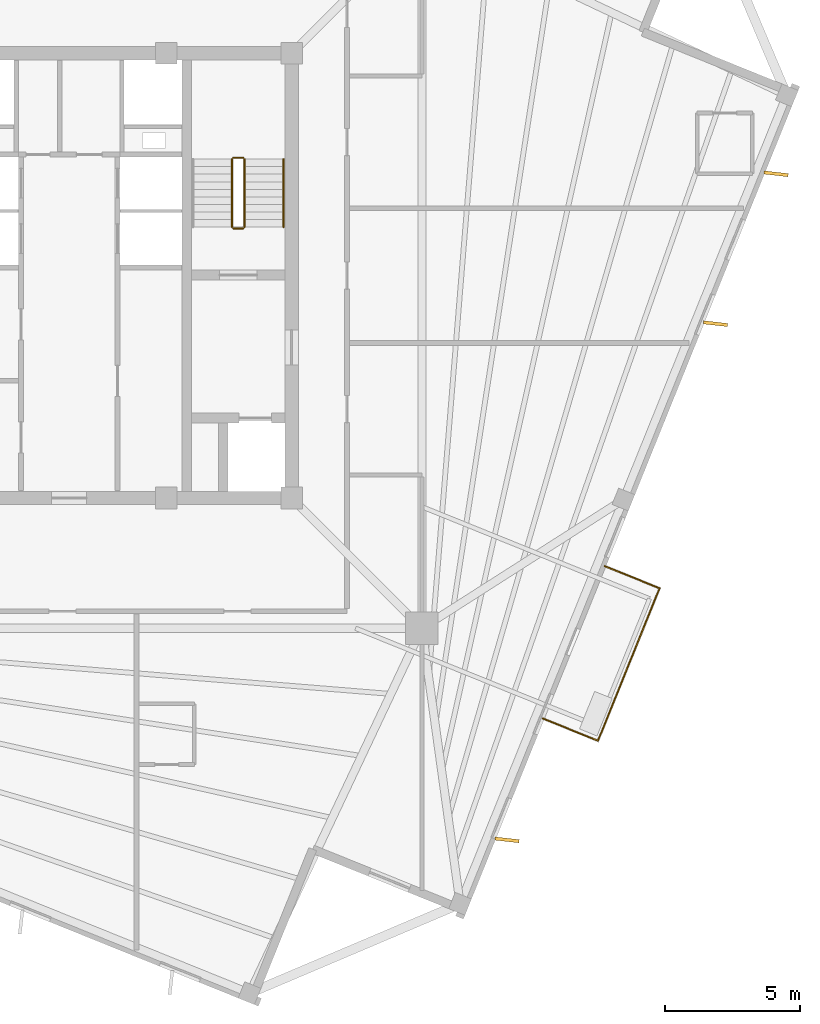
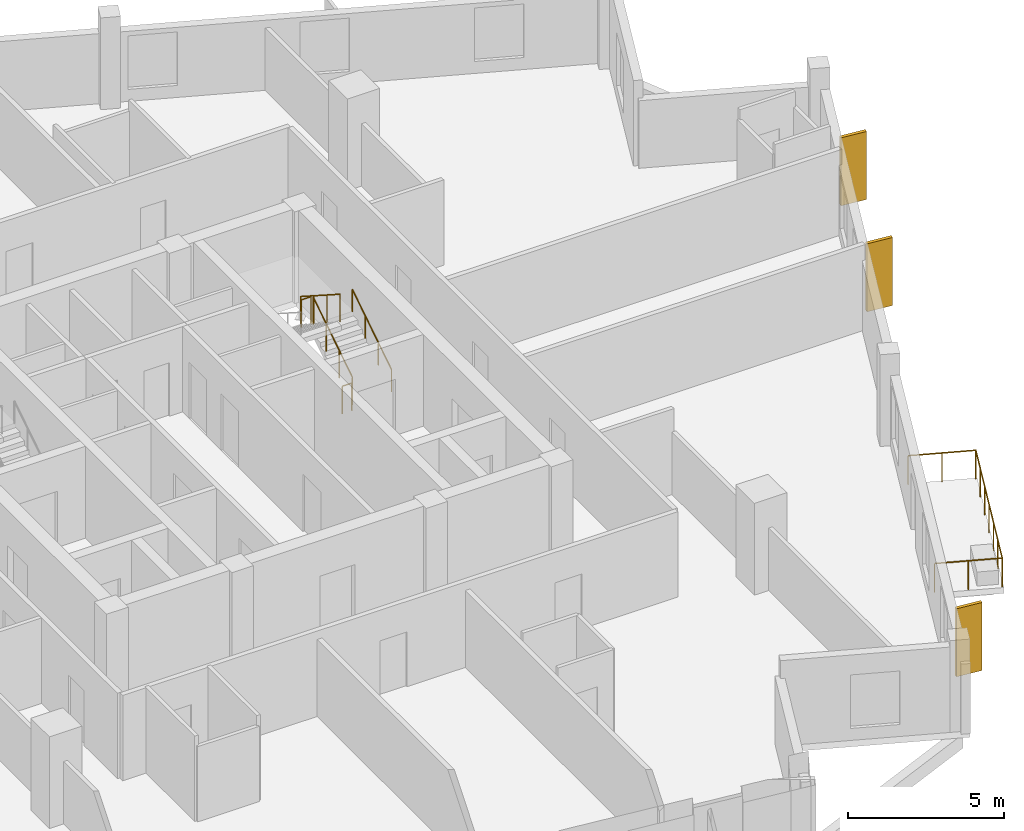
# One storey, part 7 of 8: 8 railings, 3 coverings.
"""IFC4 building model written with IfcOpenShell, lengths in metres."""

from ifc_helpers import new_model, si_unit, direction, frame, origin, origin_2d, place, context, subcontext, project, spatial, rectangle, circle, extrude, source, transform, mapped, material, layer, layer_set, type_object, element, save


model = new_model("IFC4")

# Units and contexts
model_context = context("Model", 3, precision=1e-05, world=origin(), true_north=direction((0.0, 1.0)))
body_context = subcontext(model_context, "Body", "Model", "MODEL_VIEW")
ifc_project = project(units=[si_unit("LENGTHUNIT", "METRE"), si_unit("AREAUNIT", "SQUARE_METRE"), si_unit("VOLUMEUNIT", "CUBIC_METRE"), si_unit("PLANEANGLEUNIT", "RADIAN"), si_unit("MASSUNIT", "GRAM", prefix="KILO"), si_unit("THERMODYNAMICTEMPERATUREUNIT", "KELVIN")], contexts=[model_context])

# Site, building, storey
site_placement = place(None, origin())
site = spatial("IfcSite", under=ifc_project, at=site_placement, CompositionType="ELEMENT")
building_placement = place(site_placement, origin())
building = spatial("IfcBuilding", under=site, at=building_placement, Name="Kosmvard Interchange Tower", CompositionType="ELEMENT")
storey_placement = place(building_placement, frame((0.0, 0.0, 304.800048828125)))
storey = spatial("IfcBuildingStorey", under=building, at=storey_placement, Name="L75", CompositionType="ELEMENT", Elevation=304.800048828125)

# Railing
ifc_material_1 = material(Name="Steel S355", Category="steel")
railing_type_1 = type_object("IfcRailingType", Name="Observation & Balcony Glass-Infill Balustrade 1150", PredefinedType="BALUSTRADE", material=ifc_material_1)
shared_shape_1 = source(origin(), body_context, "Body", "SweptSolid", [
    extrude(circle(Radius=0.02392578125, at=origin_2d()), frame((0.0, 0.0, 1.1259765625), z_axis=(0.927208487558, -0.374545618852, 0.0), x_axis=(0.374545618852, 0.927208487558, 0.0)), (0.0, 0.0, 1.0), 2.199951171875),
    extrude(circle(Radius=0.02099609375, at=origin_2d()), origin(), (0.0, 0.0, 1.0), 1.101806640625),
    extrude(circle(Radius=0.02099609375, at=origin_2d()), frame((1.02001953125, -0.412109375, 0.0)), (0.0, 0.0, 1.0), 1.101806640625),
    extrude(circle(Radius=0.02099609375, at=origin_2d()), frame((2.039794921875, -0.823974609375, 0.0)), (0.0, 0.0, 1.0), 1.101806640625),
])
railing_1_placement = place(storey_placement, frame((17.574951171875, -16.43017578125, 0.0)))
element("IfcRailing", 1, at=railing_1_placement, inside=storey, type_object=railing_type_1, Name="L75 Outdoor Terrace Guard BAL-L75-S-A", PredefinedType="BALUSTRADE", context=body_context, shape_type="MappedRepresentation", body=[
    mapped(shared_shape_1, transform((0.0, 0.0, 0.0), scale=1.0)),
])

# Coverings
ifc_material_2 = material(Name="Architectural anodised aluminium", Category="aluminium")
ifc_layer = layer(ifc_material_2, 0.1201171875, Name="Architectural anodised aluminium")
ifc_layer_set = layer_set([ifc_layer], Name="Architectural anodised aluminium")
covering_type = type_object("IfcCoveringType", Name="Rotating Vertical Sun-Breaker Fin 900x120 Aluminium", PredefinedType="CLADDING", material=ifc_layer_set)
shared_shape_2 = source(origin(), body_context, "Body", "SweptSolid", [
    extrude(rectangle(XDim=0.89990234375, YDim=0.1201171875, at=origin_2d()), origin(), (0.0, 0.0, 1.0), 2.669921875),
])
for number, where, z_axis, x_axis, name in (
    (2, (16.2412109375, -20.932373046875, 0.0400390625), (0.0, 0.0, 1.0), (0.99367026578, -0.112336115762, 0.0), "L75 Rotating Vertical Sun-Breaker Fin 01"),
    (3, (23.977783203125, -1.783935546875, 0.0400390625), (0.0, 0.0, 1.0), (0.99367026578, -0.112336115762, 0.0), "L75 Rotating Vertical Sun-Breaker Fin 02"),
    (4, (26.223876953125, 3.775390625, 0.0400390625), (0.0, 0.0, 1.0), (0.99367026578, -0.112336115762, 0.0), "L75 Rotating Vertical Sun-Breaker Fin 03"),
):
    element("IfcCovering", number, at=place(storey_placement, frame(where, z_axis=z_axis, x_axis=x_axis)), inside=storey, type_object=covering_type, Name=name, PredefinedType="CLADDING", context=body_context, shape_type="MappedRepresentation", body=[
        mapped(shared_shape_2, transform((0.0, 0.0, 0.0), scale=1.0)),
    ])

# Railings
shared_shape_3 = source(origin(), body_context, "Body", "SweptSolid", [
    extrude(circle(Radius=0.02392578125, at=origin_2d()), frame((0.0, 0.0, 1.1259765625), z_axis=(0.374617894384, 0.927179288599, 0.0), x_axis=(-0.927179288599, 0.374617894384, 0.0)), (0.0, 0.0, 1.0), 6.099853515625),
    extrude(circle(Radius=0.02099609375, at=origin_2d()), origin(), (0.0, 0.0, 1.0), 1.101806640625),
    extrude(circle(Radius=0.02099609375, at=origin_2d()), frame((0.380859375, 0.942626953125, 0.0)), (0.0, 0.0, 1.0), 1.101806640625),
    extrude(circle(Radius=0.02099609375, at=origin_2d()), frame((0.76171875, 1.88525390625, 0.0)), (0.0, 0.0, 1.0), 1.101806640625),
    extrude(circle(Radius=0.02099609375, at=origin_2d()), frame((1.142578125, 2.827880859375, 0.0)), (0.0, 0.0, 1.0), 1.101806640625),
    extrude(circle(Radius=0.02099609375, at=origin_2d()), frame((1.5234375, 3.7705078125, 0.0)), (0.0, 0.0, 1.0), 1.101806640625),
    extrude(circle(Radius=0.02099609375, at=origin_2d()), frame((1.904296875, 4.713134765625, 0.0)), (0.0, 0.0, 1.0), 1.101806640625),
    extrude(circle(Radius=0.02099609375, at=origin_2d()), frame((2.28515625, 5.65576171875, 0.0)), (0.0, 0.0, 1.0), 1.101806640625),
])
railing_2_placement = place(storey_placement, frame((19.61474609375, -17.254150390625, 0.0)))
element("IfcRailing", 5, at=railing_2_placement, inside=storey, type_object=railing_type_1, Name="L75 Outdoor Terrace Guard BAL-L75-S-B", PredefinedType="BALUSTRADE", context=body_context, shape_type="MappedRepresentation", body=[
    mapped(shared_shape_3, transform((0.0, 0.0, 0.0), scale=1.0)),
])
shared_shape_4 = source(origin(), body_context, "Body", "SweptSolid", [
    extrude(circle(Radius=0.02392578125, at=origin_2d()), frame((0.0, 0.0, 1.1259765625), z_axis=(-0.927169944131, 0.374641021112, 0.0), x_axis=(-0.374641021112, -0.927169944131, 0.0)), (0.0, 0.0, 1.0), 2.199951171875),
    extrude(circle(Radius=0.02099609375, at=origin_2d()), origin(), (0.0, 0.0, 1.0), 1.101806640625),
    extrude(circle(Radius=0.02099609375, at=origin_2d()), frame((-1.02001953125, 0.412109375, 0.0)), (0.0, 0.0, 1.0), 1.101806640625),
    extrude(circle(Radius=0.02099609375, at=origin_2d()), frame((-2.039794921875, 0.82421875, 0.0)), (0.0, 0.0, 1.0), 1.101806640625),
])
railing_3_placement = place(storey_placement, frame((21.89990234375, -11.598388671875, 0.0)))
element("IfcRailing", 6, at=railing_3_placement, inside=storey, type_object=railing_type_1, Name="L75 Outdoor Terrace Guard BAL-L75-S-C", PredefinedType="BALUSTRADE", context=body_context, shape_type="MappedRepresentation", body=[
    mapped(shared_shape_4, transform((0.0, 0.0, 0.0), scale=1.0)),
])
railing_type_2 = type_object("IfcRailingType", Name="Stair & Terrace Safety Guardrail 1100 Steel", PredefinedType="GUARDRAIL", material=ifc_material_1)
shared_shape_5 = source(origin(), body_context, "Body", "SweptSolid", [
    extrude(circle(Radius=0.02392578125, at=origin_2d()), frame((0.0, 0.0, 1.076171875), z_axis=(-1.0, 0.0, 0.0), x_axis=(0.0, -1.0, 0.0)), (0.0, 0.0, 1.0), 0.35986328125),
    extrude(circle(Radius=0.02099609375, at=origin_2d()), origin(), (0.0, 0.0, 1.0), 1.052001953125),
    extrude(circle(Radius=0.02099609375, at=origin_2d()), frame((-0.35986328125, 0.0, 0.0)), (0.0, 0.0, 1.0), 1.052001953125),
])
for number, where, name in (
    (7, (6.449951171875, 4.3701171875, 1.800048828125), "L75 ST-2 stair guard 2"),
    (8, (6.449951171875, 1.75, 0.0), "L75 ST-2 stair guard 4"),
):
    element("IfcRailing", number, at=place(storey_placement, frame(where)), inside=storey, type_object=railing_type_2, Name=name, PredefinedType="GUARDRAIL", context=body_context, shape_type="MappedRepresentation", body=[
        mapped(shared_shape_5, transform((0.0, 0.0, 0.0), scale=1.0)),
    ])
shared_shape_6 = source(origin(), body_context, "Body", "SweptSolid", [
    extrude(circle(Radius=0.02392578125, at=origin_2d()), frame((0.0, 0.0, 1.076171875), z_axis=(0.0, 0.841162588446, 0.540782303519), x_axis=(-1.0, 0.0, 0.0)), (0.0, 0.0, 1.0), 2.995849609375),
    extrude(circle(Radius=0.02099609375, at=origin_2d()), origin(), (0.0, 0.0, 1.0), 1.052001953125),
    extrude(circle(Radius=0.02099609375, at=origin_2d()), frame((0.0, 0.840087890625, 0.5400390625)), (0.0, 0.0, 1.0), 1.052001953125),
    extrude(circle(Radius=0.02099609375, at=origin_2d()), frame((0.0, 1.679931640625, 1.080078125)), (0.0, 0.0, 1.0), 1.052001953125),
    extrude(circle(Radius=0.02099609375, at=origin_2d()), frame((0.0, 2.52001953125, 1.6201171875)), (0.0, 0.0, 1.0), 1.052001953125),
])
railing_4_placement = place(storey_placement, frame((6.5, 1.800048828125, 0.179931640625)))
element("IfcRailing", 9, at=railing_4_placement, inside=storey, type_object=railing_type_2, Name="L75 ST-2 stair guard 1", PredefinedType="GUARDRAIL", context=body_context, shape_type="MappedRepresentation", body=[
    mapped(shared_shape_6, transform((0.0, 0.0, 0.0), scale=1.0)),
])
railing_type_3 = type_object("IfcRailingType", Name="Wall-Mounted Stair Handrail 900 Steel", PredefinedType="HANDRAIL", material=ifc_material_1)
shared_shape_7 = source(origin(), body_context, "Body", "SweptSolid", [
    extrude(circle(Radius=0.02392578125, at=origin_2d()), frame((0.0, 0.0, 0.8759765625), z_axis=(0.0, 0.841162588446, 0.540782303519), x_axis=(-1.0, 0.0, 0.0)), (0.0, 0.0, 1.0), 2.995849609375),
    extrude(circle(Radius=0.02099609375, at=origin_2d()), origin(), (0.0, 0.0, 1.0), 0.851806640625),
    extrude(circle(Radius=0.02099609375, at=origin_2d()), frame((0.0, 0.840087890625, 0.5400390625)), (0.0, 0.0, 1.0), 0.851806640625),
    extrude(circle(Radius=0.02099609375, at=origin_2d()), frame((0.0, 1.679931640625, 1.080078125)), (0.0, 0.0, 1.0), 0.851806640625),
    extrude(circle(Radius=0.02099609375, at=origin_2d()), frame((0.0, 2.52001953125, 1.6201171875)), (0.0, 0.0, 1.0), 0.851806640625),
])
railing_5_placement = place(storey_placement, frame((7.949951171875, 1.800048828125, 0.179931640625)))
element("IfcRailing", 10, at=railing_5_placement, inside=storey, type_object=railing_type_3, Name="L75 ST-2 stair handrail 1", PredefinedType="HANDRAIL", context=body_context, shape_type="MappedRepresentation", body=[
    mapped(shared_shape_7, transform((0.0, 0.0, 0.0), scale=1.0)),
])
shared_shape_8 = source(origin(), body_context, "Body", "SweptSolid", [
    extrude(circle(Radius=0.02392578125, at=origin_2d()), frame((0.0, 0.0, 1.076171875), z_axis=(0.0, -0.841199657755, 0.540724639528), x_axis=(1.0, 0.0, 0.0)), (0.0, 0.0, 1.0), 2.995849609375),
    extrude(circle(Radius=0.02099609375, at=origin_2d()), origin(), (0.0, 0.0, 1.0), 1.052001953125),
    extrude(circle(Radius=0.02099609375, at=origin_2d()), frame((0.0, -0.840087890625, 0.5400390625)), (0.0, 0.0, 1.0), 1.052001953125),
    extrude(circle(Radius=0.02099609375, at=origin_2d()), frame((0.0, -1.679931640625, 1.079833984375)), (0.0, 0.0, 1.0), 1.052001953125),
    extrude(circle(Radius=0.02099609375, at=origin_2d()), frame((0.0, -2.52001953125, 1.619873046875)), (0.0, 0.0, 1.0), 1.052001953125),
])
railing_6_placement = place(storey_placement, frame((6.0400390625, 4.320068359375, 1.97998046875)))
element("IfcRailing", 11, at=railing_6_placement, inside=storey, type_object=railing_type_2, Name="L75 ST-2 stair guard 3", PredefinedType="GUARDRAIL", context=body_context, shape_type="MappedRepresentation", body=[
    mapped(shared_shape_8, transform((0.0, 0.0, 0.0), scale=1.0)),
])

save(model, "model.ifc")
